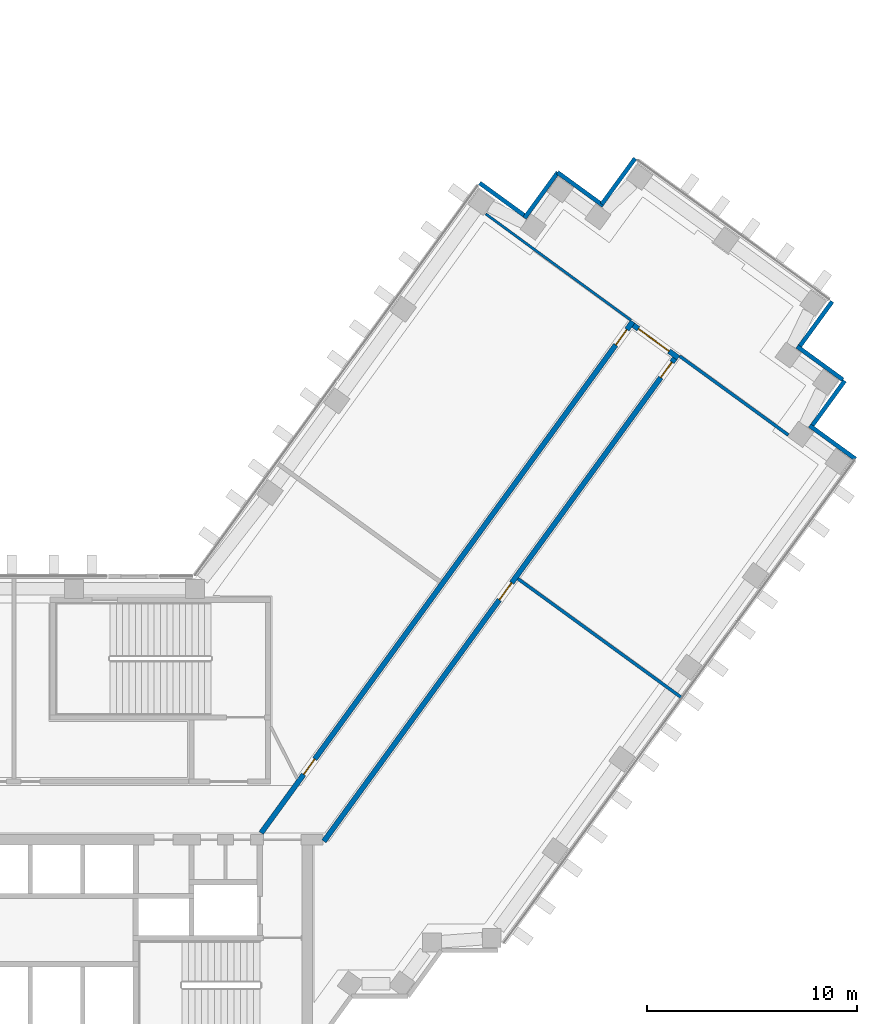
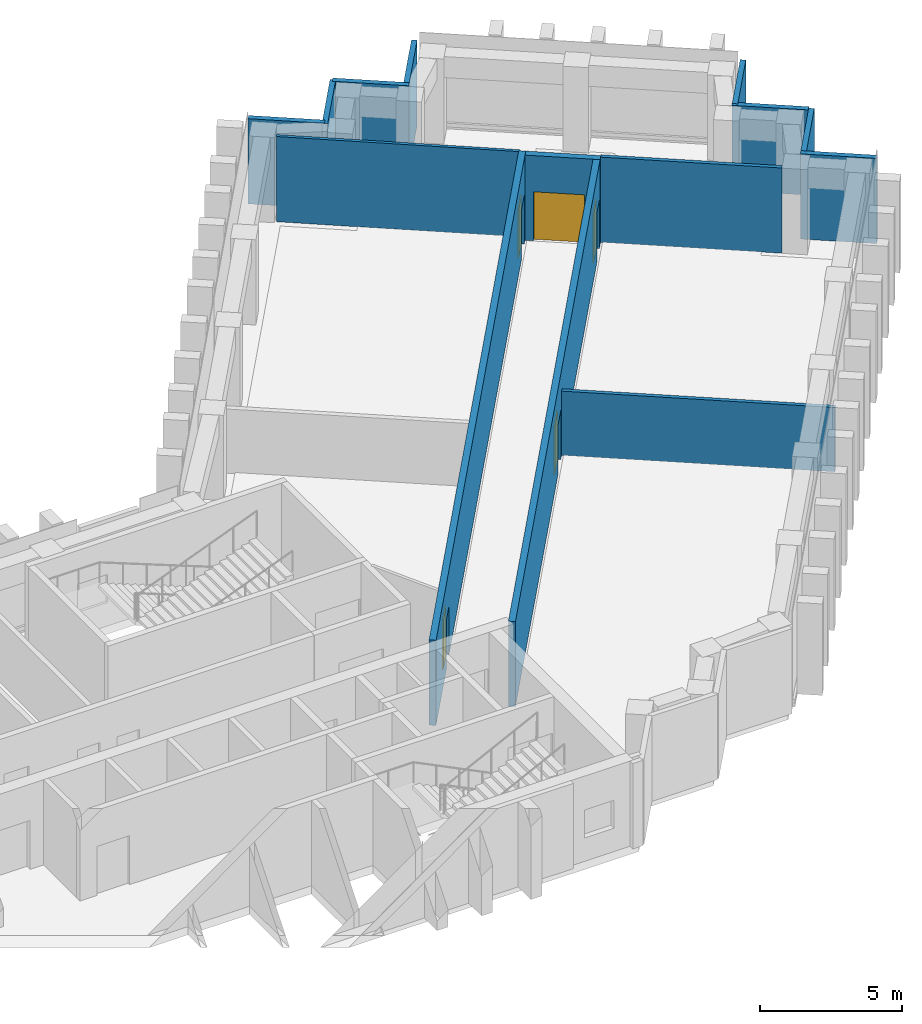
# One storey, part 9 of 12: 14 walls, 5 doors, 5 openings.
"""IFC4 building model written with IfcOpenShell, lengths in metres."""

import ifcopenshell
import ifcopenshell.guid

model = None  # the IFC model being written
_history = None  # IfcOwnerHistory: only IFC2X3 demands one
_inside = {}  # id of a spatial element -> (the spatial element, [elements in it])
_under = {}  # id of a project, library or spatial element -> (it, [spatial elements below it])
_declared = {}  # id of a project -> (the project, [libraries it declares])
_typed = {}  # id of a type object -> (the type object, [elements of that type])
_made_of = {}  # id of a material, layer set ... -> (it, [elements and type objects made of it])


def new_model(schema):
    """Start an empty IFC model of exactly this schema.

    Asked for "IFC4X3", IfcOpenShell would pick the latest addendum, in which some entities
    have other attributes; the version numbers below select the first issue.
    IFC2X3 requires an IfcOwnerHistory on every rooted entity: one is made here for all.
    """
    global model, _history
    if schema == "IFC4X3":
        model = ifcopenshell.file(schema_version=(4, 3, 0, 0))
    else:
        model = ifcopenshell.file(schema=schema)
    _inside.clear()
    _under.clear()
    _declared.clear()
    _typed.clear()
    _made_of.clear()
    _history = None
    if model.schema == "IFC2X3":
        org = make("IfcOrganization", Name="unknown")
        user = make(
            "IfcPersonAndOrganization",
            ThePerson=make("IfcPerson", FamilyName="unknown"),
            TheOrganization=org,
        )
        app = make(
            "IfcApplication",
            ApplicationDeveloper=org,
            Version="unknown",
            ApplicationFullName="unknown",
            ApplicationIdentifier="unknown",
        )
        _history = make(
            "IfcOwnerHistory",
            OwningUser=user,
            OwningApplication=app,
            ChangeAction="ADDED",
            CreationDate=0,
        )
    return model


def make(cls, **values):
    """One entity of the class cls with the attributes given. An attribute that is None is left unset."""
    return model.create_entity(
        cls, **{name: value for name, value in values.items() if value is not None}
    )


def rooted(cls, **values):
    """An entity with a GlobalId (a new one), such as an element, a storey or a relation."""
    return make(cls, GlobalId=ifcopenshell.guid.new(), OwnerHistory=_history, **values)


def si_unit(unit_type, name, prefix=None):
    """IfcSIUnit, for example si_unit("LENGTHUNIT", "METRE", prefix="MILLI")."""
    return make("IfcSIUnit", UnitType=unit_type, Prefix=prefix, Name=name)


def assignment(units):
    """IfcUnitAssignment: the units of a project."""
    return None if units is None else make("IfcUnitAssignment", Units=units)


def point(xyz):
    """IfcCartesianPoint."""
    return None if xyz is None else make("IfcCartesianPoint", Coordinates=xyz)


def direction(xyz):
    """IfcDirection."""
    return None if xyz is None else make("IfcDirection", DirectionRatios=xyz)


def frame(location, z_axis=None, x_axis=None):
    """IfcAxis2Placement3D, a coordinate frame: its origin and axes. An axis left out is left unset."""
    return make(
        "IfcAxis2Placement3D",
        Location=point(location),
        Axis=direction(z_axis),
        RefDirection=direction(x_axis),
    )


def frame_2d(location, x_axis=None):
    """IfcAxis2Placement2D, a coordinate frame in the plane: its origin and x axis."""
    return make(
        "IfcAxis2Placement2D", Location=point(location), RefDirection=direction(x_axis)
    )


def origin():
    """The frame at (0, 0, 0) with its axes left unset."""
    return frame((0.0, 0.0, 0.0))


def place(relative_to, where):
    """IfcLocalPlacement: puts the frame where relative to a parent placement (None: the world)."""
    return make(
        "IfcLocalPlacement", PlacementRelTo=relative_to, RelativePlacement=where
    )


def context(
    kind, dimensions, precision=None, world=None, true_north=None, identifier=None
):
    """IfcGeometricRepresentationContext, for example the 3D "Model" context."""
    return make(
        "IfcGeometricRepresentationContext",
        ContextIdentifier=identifier,
        ContextType=kind,
        CoordinateSpaceDimension=dimensions,
        Precision=precision,
        WorldCoordinateSystem=world,
        TrueNorth=true_north,
    )


def subcontext(parent, identifier, kind, view, scale=None):
    """IfcGeometricRepresentationSubContext, for example "Body" below "Model"."""
    return make(
        "IfcGeometricRepresentationSubContext",
        ContextIdentifier=identifier,
        ContextType=kind,
        ParentContext=parent,
        TargetScale=scale,
        TargetView=view,
    )


def project(units=None, contexts=None):
    """IfcProject with its units and contexts."""
    return rooted(
        "IfcProject",
        Name="project",
        RepresentationContexts=contexts,
        UnitsInContext=assignment(units),
    )


def spatial(cls, under=None, at=None, **own):
    """A site, building, storey or space (cls), placed at a placement, below another one or the project."""
    s = rooted(cls, ObjectPlacement=at, **own)
    if under is not None:
        _under.setdefault(under.id(), (under, []))[1].append(s)
    return s


def profile(cls, at=None, kind="AREA", **sizes):
    """A parametric profile (cls). Its sizes go by their IFC names, for example OverallWidth=200.0."""
    return make(cls, ProfileType=kind, Position=at, **sizes)


def rectangle(**sizes):
    """IfcRectangleProfileDef."""
    return profile("IfcRectangleProfileDef", **sizes)


def extrude(swept, where, along, depth):
    """IfcExtrudedAreaSolid: the profile swept, set in the frame where, extruded along a direction by depth."""
    return make(
        "IfcExtrudedAreaSolid",
        SweptArea=swept,
        Position=where,
        ExtrudedDirection=direction(along),
        Depth=depth,
    )


def shape(context_of_items, identifier, shape_type, items):
    """IfcShapeRepresentation: the items that make up one representation, for example the "Body"."""
    return make(
        "IfcShapeRepresentation",
        ContextOfItems=context_of_items,
        RepresentationIdentifier=identifier,
        RepresentationType=shape_type,
        Items=items,
    )


def material(Name=None, Category=None):
    """IfcMaterial."""
    return make("IfcMaterial", Name=Name, Category=Category)


def layer(
    of_material, thickness, ventilated=None, Name=None, Category=None, Priority=None
):
    """IfcMaterialLayer: one layer of a wall or slab, of a material (None: an air gap)."""
    return make(
        "IfcMaterialLayer",
        Material=of_material,
        LayerThickness=thickness,
        IsVentilated=ventilated,
        Name=Name,
        Category=Category,
        Priority=Priority,
    )


def layer_set(layers, Name=None):
    """IfcMaterialLayerSet."""
    return make("IfcMaterialLayerSet", MaterialLayers=layers, LayerSetName=Name)


def made_of(thing, what):
    """Note that an element or type object is made of a material, layer set ...; save() writes the relation."""
    if what is not None:
        _made_of.setdefault(what.id(), (what, []))[1].append(thing)
    return thing


def type_object(cls, material=None, **own):
    """A type object (cls), such as IfcWallType, which elements share."""
    return made_of(rooted(cls, **own), material)


def element(
    cls,
    number,
    at=None,
    inside=None,
    cuts=None,
    type_object=None,
    material=None,
    context=None,
    identifier="Body",
    shape_type=None,
    held_by="IfcProductDefinitionShape",
    body=None,
    shapes=None,
    **own,
):
    """One element of the class cls, such as IfcWall. Its Tag is "e" and its number.

    at: its placement. inside: the storey or other place that contains it. cuts: it is an
    opening in that element (IfcRelVoidsElement). A single representation is given by context,
    identifier, shape_type and body (its items); several are given by shapes. held_by: the class
    of the entity that holds the representations. save() writes the other relations.
    """
    e = rooted(cls, Tag="e%d" % number, ObjectPlacement=at, **own)
    if body is not None:
        shapes = [shape(context, identifier, shape_type, body)]
    if shapes is not None:
        e.Representation = make(held_by, Representations=shapes)
    if inside is not None:
        _inside.setdefault(inside.id(), (inside, []))[1].append(e)
    if cuts is not None:
        rooted(
            "IfcRelVoidsElement", RelatingBuildingElement=cuts, RelatedOpeningElement=e
        )
    if type_object is not None:
        _typed.setdefault(type_object.id(), (type_object, []))[1].append(e)
    return made_of(e, material)


def fill(opening, filler):
    """IfcRelFillsElement: the door or window that sits in an opening."""
    return rooted(
        "IfcRelFillsElement",
        RelatingOpeningElement=opening,
        RelatedBuildingElement=filler,
    )


def aggregate(whole, parts):
    """IfcRelAggregates: a whole, such as a stair, and the parts it consists of."""
    return rooted("IfcRelAggregates", RelatingObject=whole, RelatedObjects=parts)


def save(model, path):
    """Write the relations noted so far, then the file.

    IfcRelAggregates (storeys below a building ...), IfcRelContainedInSpatialStructure (elements
    in a storey), IfcRelDefinesByType, IfcRelAssociatesMaterial and IfcRelDeclares: one each for
    every whole, place, type object, material and project.
    """
    for whole, parts in _under.values():
        aggregate(whole, parts)
    for where, things in _inside.values():
        rooted(
            "IfcRelContainedInSpatialStructure",
            RelatedElements=things,
            RelatingStructure=where,
        )
    for kind, things in _typed.values():
        rooted("IfcRelDefinesByType", RelatedObjects=things, RelatingType=kind)
    for what, things in _made_of.values():
        rooted("IfcRelAssociatesMaterial", RelatedObjects=things, RelatingMaterial=what)
    for by, libraries in _declared.values():
        rooted("IfcRelDeclares", RelatingContext=by, RelatedDefinitions=libraries)
    model.write(path)


model = new_model("IFC4")

# Units and contexts
model_context = context("Model", 3, precision=1e-05, world=origin(), true_north=direction((0.0, 1.0)))
body_context = subcontext(model_context, "Body", "Model", "MODEL_VIEW")
ifc_project = project(units=[si_unit("LENGTHUNIT", "METRE"), si_unit("AREAUNIT", "SQUARE_METRE"), si_unit("VOLUMEUNIT", "CUBIC_METRE"), si_unit("PLANEANGLEUNIT", "RADIAN"), si_unit("MASSUNIT", "GRAM", prefix="KILO")], contexts=[model_context])

# Site, building, storey
site_placement = place(None, origin())
site = spatial("IfcSite", under=ifc_project, at=site_placement, CompositionType="ELEMENT")
building_placement = place(site_placement, origin())
building = spatial("IfcBuilding", under=site, at=building_placement, Name="Quipu Civic Tower", CompositionType="ELEMENT")
storey_placement = place(building_placement, frame((0.0, 0.0, 121.0)))
storey = spatial("IfcBuildingStorey", under=building, at=storey_placement, Name="L28", CompositionType="ELEMENT", Elevation=121.0)

# Walls
ifc_material_1 = material(Name="Double gypsum plasterboard with mineral wool")
ifc_layer_1 = layer(ifc_material_1, 0.14990234375)
ifc_layer_set_1 = layer_set([ifc_layer_1], Name="Double gypsum plasterboard with mineral wool")
wall_type_1 = type_object("IfcWallType", Name="Acoustic partition 150 plasterboard", PredefinedType="PARTITIONING", material=ifc_layer_set_1)
wall_1_placement = place(storey_placement, frame((37.577392578125, 5.30712890625, 0.0), z_axis=(0.0, 0.0, 1.0), x_axis=(-0.809032429128, 0.587764007591, 0.0)))
element("IfcWall", 1, at=wall_1_placement, inside=storey, type_object=wall_type_1, Name="Partition P03", PredefinedType="PARTITIONING", context=body_context, shape_type="SweptSolid", body=[
    extrude(rectangle(XDim=9.651123046875, YDim=0.14990234375, at=frame_2d((4.82568359375, 0.0))), origin(), (0.0, 0.0, 1.0), 2.75),
])
wall_2_placement = place(storey_placement, frame((42.6455078125, 17.822998046875, 0.0), z_axis=(0.0, 0.0, 1.0), x_axis=(-0.80900675786, 0.587799341388, 0.0)))
element("IfcWall", 2, at=wall_2_placement, inside=storey, type_object=wall_type_1, Name="Partition P06", PredefinedType="PARTITIONING", context=body_context, shape_type="SweptSolid", body=[
    extrude(rectangle(XDim=6.394775390625, YDim=0.14990234375, at=frame_2d((3.197265625, 0.0))), origin(), (0.0, 0.0, 1.0), 3.64990234375),
])

# Wall, openings, doors
ifc_material_2 = material(Name="Concrete C50/60", Category="concrete")
ifc_layer_2 = layer(ifc_material_2, 0.25)
ifc_layer_set_2 = layer_set([ifc_layer_2], Name="Concrete C50/60")
wall_type_2 = type_object("IfcWallType", Name="Corridor wall 250 concrete", PredefinedType="SOLIDWALL", material=ifc_layer_set_2)
wall_3_placement = place(storey_placement, frame((17.544921875, -1.124755859375, 0.0), z_axis=(0.0, 0.0, 1.0), x_axis=(0.587786330937, 0.809016210693, 0.0)))
wall_3 = element("IfcWall", 3, at=wall_3_placement, inside=storey, type_object=wall_type_2, Name="Corridor wall C05", PredefinedType="SOLIDWALL", context=body_context, shape_type="SweptSolid", body=[
    extrude(rectangle(XDim=30.10302734375, YDim=0.25, at=frame_2d((15.051513671875, 0.0))), origin(), (0.0, 0.0, 1.0), 3.64990234375),
])
opening_1_placement = place(wall_3_placement, frame((3.44140625, 0.0, 0.0)))
opening_1 = element("IfcOpeningElement", 4, at=opening_1_placement, cuts=wall_3, Name="Opening D001", PredefinedType="OPENING", context=body_context, shape_type="SweptSolid", body=[
    extrude(rectangle(XDim=0.89990234375, YDim=2.10009765625, at=frame_2d((0.449951171875, 1.050048828125))), frame((0.0, 0.135009765625, 0.0), z_axis=(0.0, -1.0, 0.0), x_axis=(1.0, 0.0, 0.0)), (0.0, 0.0, 1.0), 0.27001953125),
])
opening_2_placement = place(wall_3_placement, frame((28.72900390625, 0.0, 0.0)))
opening_2 = element("IfcOpeningElement", 5, at=opening_2_placement, cuts=wall_3, Name="Opening D002", PredefinedType="OPENING", context=body_context, shape_type="SweptSolid", body=[
    extrude(rectangle(XDim=0.89990234375, YDim=2.10009765625, at=frame_2d((0.449951171875, 1.050048828125))), frame((0.0, 0.135009765625, 0.0), z_axis=(0.0, -1.0, 0.0), x_axis=(1.0, 0.0, 0.0)), (0.0, 0.0, 1.0), 0.27001953125),
])
ifc_material_3 = material(Name="Fire rated timber door set with metal frame", Category="wood")
door_type_1 = type_object("IfcDoorType", Name="Single door 900 x 2100 FD60", OperationType="NOTDEFINED", PredefinedType="DOOR", material=ifc_material_3)
door_1_placement = place(opening_1_placement, origin())
door_1 = element("IfcDoor", 6, at=door_1_placement, inside=storey, type_object=door_type_1, Name="Door D001", OperationType="SINGLE_SWING_LEFT", OverallHeight=2.10009765625, OverallWidth=0.89990234375, PredefinedType="DOOR", context=body_context, shape_type="SweptSolid", body=[
    extrude(rectangle(XDim=0.89990234375, YDim=2.10009765625, at=frame_2d((0.449951171875, 1.050048828125))), frame((0.0, 0.02490234375, 0.0), z_axis=(0.0, -1.0, 0.0), x_axis=(1.0, 0.0, 0.0)), (0.0, 0.0, 1.0), 0.050048828125),
])
fill(opening_1, door_1)
door_2_placement = place(opening_2_placement, origin())
door_2 = element("IfcDoor", 7, at=door_2_placement, inside=storey, type_object=door_type_1, Name="Door D002", OperationType="SINGLE_SWING_RIGHT", OverallHeight=2.10009765625, OverallWidth=0.89990234375, PredefinedType="DOOR", context=body_context, shape_type="SweptSolid", body=[
    extrude(rectangle(XDim=0.89990234375, YDim=2.10009765625, at=frame_2d((0.449951171875, 1.050048828125))), frame((0.0, 0.02490234375, 0.0), z_axis=(0.0, -1.0, 0.0), x_axis=(1.0, 0.0, 0.0)), (0.0, 0.0, 1.0), 0.050048828125),
])
fill(opening_2, door_2)

# Wall, opening, door
wall_4_placement = place(storey_placement, frame((35.2666015625, 23.054443359375, 0.0), z_axis=(0.0, 0.0, 1.0), x_axis=(0.809038743598, -0.587755315891, 0.0)))
wall_4 = element("IfcWall", 8, at=wall_4_placement, inside=storey, type_object=wall_type_2, Name="Corridor wall C06", PredefinedType="SOLIDWALL", context=body_context, shape_type="SweptSolid", body=[
    extrude(rectangle(XDim=2.650146484375, YDim=0.25, at=frame_2d((1.3251953125, 0.0))), origin(), (0.0, 0.0, 1.0), 3.64990234375),
])
opening_3_placement = place(wall_4_placement, frame((0.300048828125, 0.0, 0.0)))
opening_3 = element("IfcOpeningElement", 9, at=opening_3_placement, cuts=wall_4, Name="Opening D005", PredefinedType="OPENING", context=body_context, shape_type="SweptSolid", body=[
    extrude(rectangle(XDim=1.800048828125, YDim=2.10009765625, at=frame_2d((0.89990234375, 1.050048828125))), frame((0.0, 0.135009765625, 0.0), z_axis=(0.0, -1.0, 0.0), x_axis=(1.0, 0.0, 0.0)), (0.0, 0.0, 1.0), 0.27001953125),
])
ifc_material_4 = material(Name="Fire rated timber door set with metal frame", Category="wood")
door_type_2 = type_object("IfcDoorType", Name="Double door 1800 x 2100 FD60", OperationType="DOUBLE_DOOR_SINGLE_SWING", PredefinedType="DOOR", material=ifc_material_4)
door_3_placement = place(opening_3_placement, origin())
door_3 = element("IfcDoor", 10, at=door_3_placement, inside=storey, type_object=door_type_2, Name="Door D005", OperationType="DOUBLE_DOOR_SINGLE_SWING", OverallHeight=2.10009765625, OverallWidth=1.800048828125, PredefinedType="DOOR", context=body_context, shape_type="SweptSolid", body=[
    extrude(rectangle(XDim=1.800048828125, YDim=2.10009765625, at=frame_2d((0.89990234375, 1.050048828125))), frame((0.0, 0.02490234375, 0.0), z_axis=(0.0, -1.0, 0.0), x_axis=(1.0, 0.0, 0.0)), (0.0, 0.0, 1.0), 0.050048828125),
])
fill(opening_3, door_3)

# Wall, openings, doors
wall_5_placement = place(storey_placement, frame((37.236083984375, 21.46923828125, 0.0), z_axis=(0.0, 0.0, 1.0), x_axis=(-0.58778344073, -0.809018310549, 0.0)))
wall_5 = element("IfcWall", 11, at=wall_5_placement, inside=storey, type_object=wall_type_2, Name="Corridor wall C07", PredefinedType="SOLIDWALL", context=body_context, shape_type="SweptSolid", body=[
    extrude(rectangle(XDim=28.42041015625, YDim=0.25, at=frame_2d((14.210205078125, 0.0))), origin(), (0.0, 0.0, 1.0), 3.64990234375),
])
opening_4_placement = place(wall_5_placement, frame((13.204833984375, 0.0, 0.0)))
opening_4 = element("IfcOpeningElement", 12, at=opening_4_placement, cuts=wall_5, Name="Opening D003", PredefinedType="OPENING", context=body_context, shape_type="SweptSolid", body=[
    extrude(rectangle(XDim=1.0, YDim=2.10009765625, at=frame_2d((0.5, 1.050048828125))), frame((0.0, 0.135009765625, 0.0), z_axis=(0.0, -1.0, 0.0), x_axis=(1.0, 0.0, 0.0)), (0.0, 0.0, 1.0), 0.27001953125),
])
opening_5_placement = place(wall_5_placement, frame((0.224365234375, 0.0, 0.0)))
opening_5 = element("IfcOpeningElement", 13, at=opening_5_placement, cuts=wall_5, Name="Opening D004", PredefinedType="OPENING", context=body_context, shape_type="SweptSolid", body=[
    extrude(rectangle(XDim=0.89990234375, YDim=2.10009765625, at=frame_2d((0.449951171875, 1.050048828125))), frame((0.0, 0.135009765625, 0.0), z_axis=(0.0, -1.0, 0.0), x_axis=(1.0, 0.0, 0.0)), (0.0, 0.0, 1.0), 0.27001953125),
])
ifc_material_5 = material(Name="Fire rated timber door set with metal frame", Category="wood")
door_type_3 = type_object("IfcDoorType", Name="Single door 1000 x 2100 FD60", OperationType="NOTDEFINED", PredefinedType="DOOR", material=ifc_material_5)
door_4_placement = place(opening_4_placement, origin())
door_4 = element("IfcDoor", 14, at=door_4_placement, inside=storey, type_object=door_type_3, Name="Door D003", OperationType="SINGLE_SWING_LEFT", OverallHeight=2.10009765625, OverallWidth=1.0, PredefinedType="DOOR", context=body_context, shape_type="SweptSolid", body=[
    extrude(rectangle(XDim=1.0, YDim=2.10009765625, at=frame_2d((0.5, 1.050048828125))), frame((0.0, 0.02490234375, 0.0), z_axis=(0.0, -1.0, 0.0), x_axis=(1.0, 0.0, 0.0)), (0.0, 0.0, 1.0), 0.050048828125),
])
fill(opening_4, door_4)
door_5_placement = place(opening_5_placement, origin())
door_5 = element("IfcDoor", 15, at=door_5_placement, inside=storey, type_object=door_type_1, Name="Door D004", OperationType="SINGLE_SWING_LEFT", OverallHeight=2.10009765625, OverallWidth=0.89990234375, PredefinedType="DOOR", context=body_context, shape_type="SweptSolid", body=[
    extrude(rectangle(XDim=0.89990234375, YDim=2.10009765625, at=frame_2d((0.449951171875, 1.050048828125))), frame((0.0, 0.02490234375, 0.0), z_axis=(0.0, -1.0, 0.0), x_axis=(1.0, 0.0, 0.0)), (0.0, 0.0, 1.0), 0.050048828125),
])
fill(opening_5, door_5)

# Walls
ifc_material_6 = material(Name="Gypsum plasterboard on light gauge framing")
ifc_layer_3 = layer(ifc_material_6, 0.1201171875)
ifc_layer_set_3 = layer_set([ifc_layer_3], Name="Gypsum plasterboard on light gauge framing")
wall_type_3 = type_object("IfcWallType", Name="Partition 120 plasterboard", PredefinedType="PARTITIONING", material=ifc_layer_set_3)
wall_6_placement = place(storey_placement, frame((28.23828125, 28.351806640625, 0.0), z_axis=(0.0, 0.0, 1.0), x_axis=(0.806980651863, -0.590577875913, 0.0)))
element("IfcWall", 16, at=wall_6_placement, inside=storey, type_object=wall_type_3, Name="Partition P07", PredefinedType="PARTITIONING", context=body_context, shape_type="SweptSolid", body=[
    extrude(rectangle(XDim=8.569580078125, YDim=0.1201171875, at=frame_2d((4.28466796875, 0.0))), origin(), (0.0, 0.0, 1.0), 3.64990234375),
])
ifc_material_7 = material(Name="Precast concrete C40/50", Category="concrete")
wall_type_4 = type_object("IfcWallType", Name="Precast cladding wall", PredefinedType="SOLIDWALL", material=ifc_material_7)
for number, where, z_axis, x_axis, name in (
    (17, (45.84228515625, 16.6845703125, 0.0), (0.0, 0.0, 1.0), (-0.808958916286, 0.58786518162, 0.0), "Precast cladding wall L28 P01"),
    (18, (43.74609375, 18.22265625, 0.0), (0.0, 0.0, 1.0), (0.587762999008, 0.809033161865, 0.0), "Precast cladding wall L28 P02"),
    (19, (45.2451171875, 20.4560546875, 0.0), (0.0, 0.0, 1.0), (-0.809033161865, 0.587762999008, 0.0), "Precast cladding wall L28 P03"),
    (20, (43.148681640625, 21.993896484375, 0.0), (0.0, 0.0, 1.0), (0.587822180636, 0.808990163075, 0.0), "Precast cladding wall L28 24"),
    (21, (35.351318359375, 30.99658203125, 0.0), (0.0, 0.0, 1.0), (-0.587822180636, -0.808990163075, 0.0), "Precast cladding wall L28 26"),
    (22, (33.837890625, 28.743896484375, 0.0), (0.0, 0.0, 1.0), (-0.809033161865, 0.587762999008, 0.0), "Precast cladding wall L28 27"),
    (23, (31.67041015625, 30.33349609375, 0.0), (0.0, 0.0, 1.0), (-0.587762999008, -0.809033161865, 0.0), "Precast cladding wall L28 28"),
    (24, (30.132568359375, 28.237060546875, 0.0), (0.0, 0.0, 1.0), (-0.808990163075, 0.587822180636, 0.0), "Precast cladding wall L28 29"),
):
    element("IfcWall", number, at=place(storey_placement, frame(where, z_axis=z_axis, x_axis=x_axis)), inside=storey, type_object=wall_type_4, Name=name, PredefinedType="SOLIDWALL", context=body_context, shape_type="SweptSolid", body=[
        extrude(rectangle(XDim=2.699951171875, YDim=0.199951171875, at=frame_2d((1.35009765625, 0.0))), origin(), (0.0, 0.0, 1.0), 3.64990234375),
    ])

save(model, "model.ifc")
